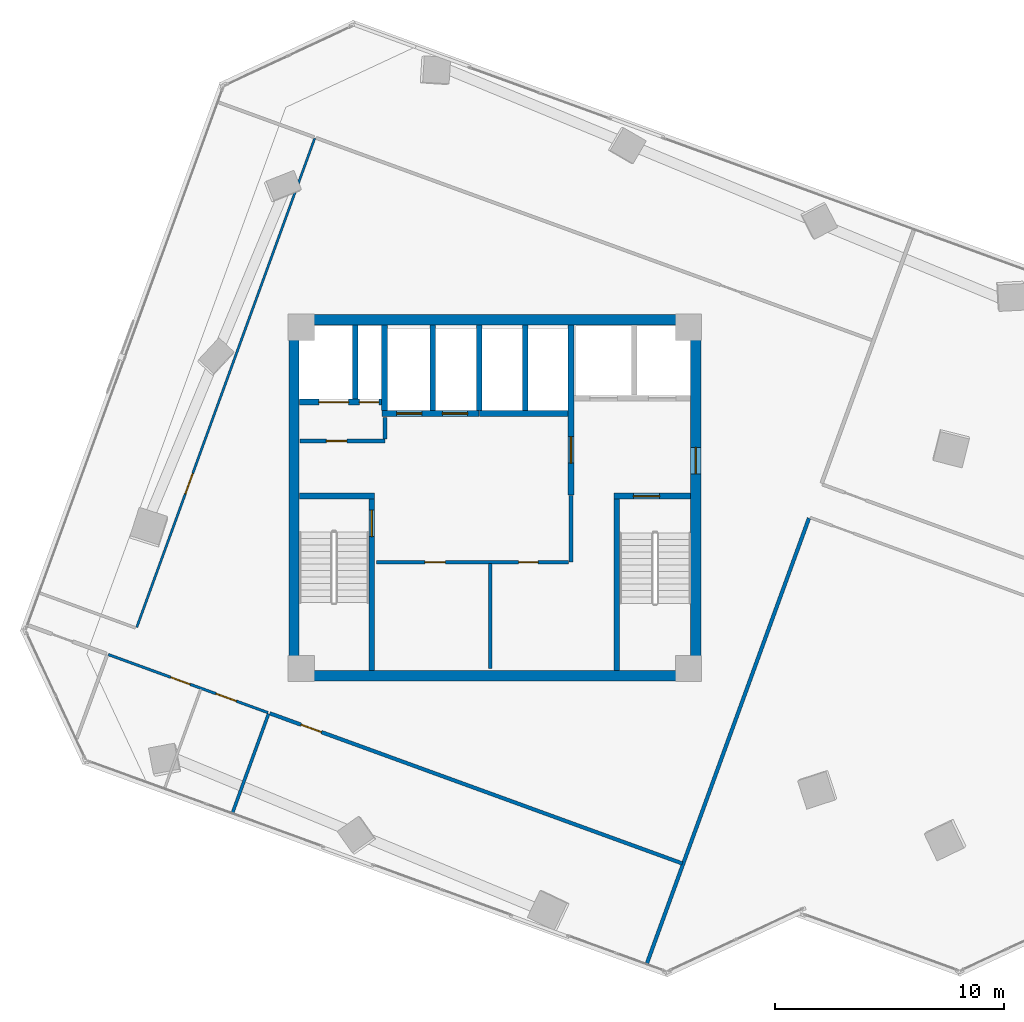
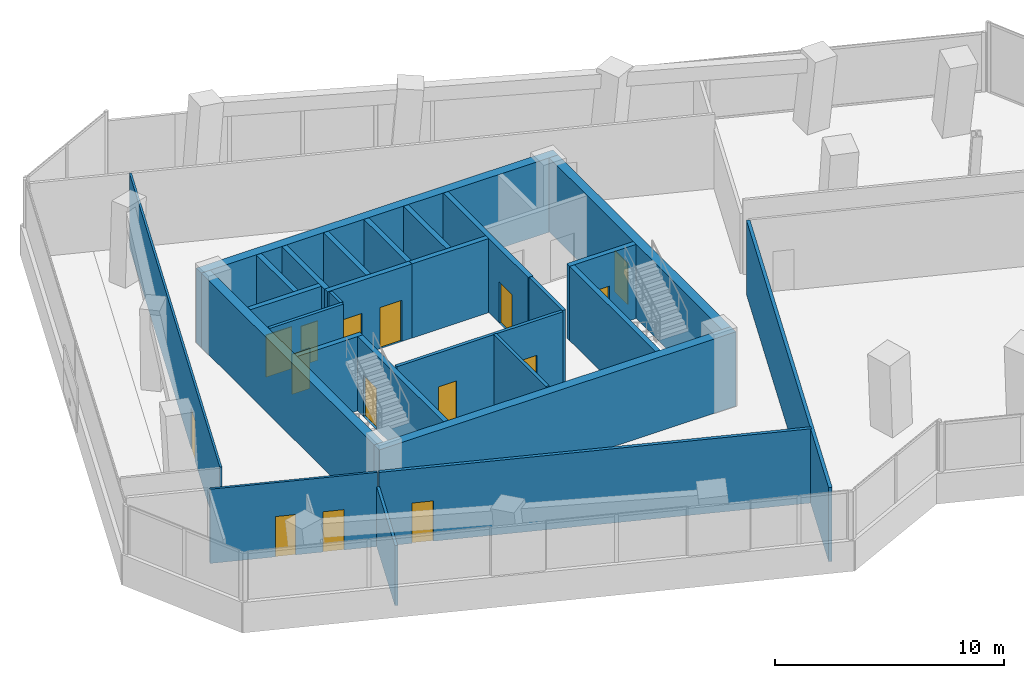
# One storey, part 16 of 21: 27 walls, 15 doors, 15 openings.
"""IFC4 building model written with IfcOpenShell, lengths in metres."""

import ifcopenshell
import ifcopenshell.guid

model = None  # the IFC model being written
_history = None  # IfcOwnerHistory: only IFC2X3 demands one
_inside = {}  # id of a spatial element -> (the spatial element, [elements in it])
_under = {}  # id of a project, library or spatial element -> (it, [spatial elements below it])
_declared = {}  # id of a project -> (the project, [libraries it declares])
_typed = {}  # id of a type object -> (the type object, [elements of that type])
_made_of = {}  # id of a material, layer set ... -> (it, [elements and type objects made of it])


def new_model(schema):
    """Start an empty IFC model of exactly this schema.

    Asked for "IFC4X3", IfcOpenShell would pick the latest addendum, in which some entities
    have other attributes; the version numbers below select the first issue.
    IFC2X3 requires an IfcOwnerHistory on every rooted entity: one is made here for all.
    """
    global model, _history
    if schema == "IFC4X3":
        model = ifcopenshell.file(schema_version=(4, 3, 0, 0))
    else:
        model = ifcopenshell.file(schema=schema)
    _inside.clear()
    _under.clear()
    _declared.clear()
    _typed.clear()
    _made_of.clear()
    _history = None
    if model.schema == "IFC2X3":
        org = make("IfcOrganization", Name="unknown")
        user = make(
            "IfcPersonAndOrganization",
            ThePerson=make("IfcPerson", FamilyName="unknown"),
            TheOrganization=org,
        )
        app = make(
            "IfcApplication",
            ApplicationDeveloper=org,
            Version="unknown",
            ApplicationFullName="unknown",
            ApplicationIdentifier="unknown",
        )
        _history = make(
            "IfcOwnerHistory",
            OwningUser=user,
            OwningApplication=app,
            ChangeAction="ADDED",
            CreationDate=0,
        )
    return model


def make(cls, **values):
    """One entity of the class cls with the attributes given. An attribute that is None is left unset."""
    return model.create_entity(
        cls, **{name: value for name, value in values.items() if value is not None}
    )


def rooted(cls, **values):
    """An entity with a GlobalId (a new one), such as an element, a storey or a relation."""
    return make(cls, GlobalId=ifcopenshell.guid.new(), OwnerHistory=_history, **values)


def si_unit(unit_type, name, prefix=None):
    """IfcSIUnit, for example si_unit("LENGTHUNIT", "METRE", prefix="MILLI")."""
    return make("IfcSIUnit", UnitType=unit_type, Prefix=prefix, Name=name)


def assignment(units):
    """IfcUnitAssignment: the units of a project."""
    return None if units is None else make("IfcUnitAssignment", Units=units)


def point(xyz):
    """IfcCartesianPoint."""
    return None if xyz is None else make("IfcCartesianPoint", Coordinates=xyz)


def direction(xyz):
    """IfcDirection."""
    return None if xyz is None else make("IfcDirection", DirectionRatios=xyz)


def frame(location, z_axis=None, x_axis=None):
    """IfcAxis2Placement3D, a coordinate frame: its origin and axes. An axis left out is left unset."""
    return make(
        "IfcAxis2Placement3D",
        Location=point(location),
        Axis=direction(z_axis),
        RefDirection=direction(x_axis),
    )


def frame_2d(location, x_axis=None):
    """IfcAxis2Placement2D, a coordinate frame in the plane: its origin and x axis."""
    return make(
        "IfcAxis2Placement2D", Location=point(location), RefDirection=direction(x_axis)
    )


def origin():
    """The frame at (0, 0, 0) with its axes left unset."""
    return frame((0.0, 0.0, 0.0))


def place(relative_to, where):
    """IfcLocalPlacement: puts the frame where relative to a parent placement (None: the world)."""
    return make(
        "IfcLocalPlacement", PlacementRelTo=relative_to, RelativePlacement=where
    )


def context(
    kind, dimensions, precision=None, world=None, true_north=None, identifier=None
):
    """IfcGeometricRepresentationContext, for example the 3D "Model" context."""
    return make(
        "IfcGeometricRepresentationContext",
        ContextIdentifier=identifier,
        ContextType=kind,
        CoordinateSpaceDimension=dimensions,
        Precision=precision,
        WorldCoordinateSystem=world,
        TrueNorth=true_north,
    )


def subcontext(parent, identifier, kind, view, scale=None):
    """IfcGeometricRepresentationSubContext, for example "Body" below "Model"."""
    return make(
        "IfcGeometricRepresentationSubContext",
        ContextIdentifier=identifier,
        ContextType=kind,
        ParentContext=parent,
        TargetScale=scale,
        TargetView=view,
    )


def project(units=None, contexts=None):
    """IfcProject with its units and contexts."""
    return rooted(
        "IfcProject",
        Name="project",
        RepresentationContexts=contexts,
        UnitsInContext=assignment(units),
    )


def spatial(cls, under=None, at=None, **own):
    """A site, building, storey or space (cls), placed at a placement, below another one or the project."""
    s = rooted(cls, ObjectPlacement=at, **own)
    if under is not None:
        _under.setdefault(under.id(), (under, []))[1].append(s)
    return s


def profile(cls, at=None, kind="AREA", **sizes):
    """A parametric profile (cls). Its sizes go by their IFC names, for example OverallWidth=200.0."""
    return make(cls, ProfileType=kind, Position=at, **sizes)


def rectangle(**sizes):
    """IfcRectangleProfileDef."""
    return profile("IfcRectangleProfileDef", **sizes)


def extrude(swept, where, along, depth):
    """IfcExtrudedAreaSolid: the profile swept, set in the frame where, extruded along a direction by depth."""
    return make(
        "IfcExtrudedAreaSolid",
        SweptArea=swept,
        Position=where,
        ExtrudedDirection=direction(along),
        Depth=depth,
    )


def shape(context_of_items, identifier, shape_type, items):
    """IfcShapeRepresentation: the items that make up one representation, for example the "Body"."""
    return make(
        "IfcShapeRepresentation",
        ContextOfItems=context_of_items,
        RepresentationIdentifier=identifier,
        RepresentationType=shape_type,
        Items=items,
    )


def source(mapping_origin, context_of_items, identifier, shape_type, items):
    """IfcRepresentationMap: a shape defined once, which mapped items show again and again."""
    return make(
        "IfcRepresentationMap",
        MappingOrigin=mapping_origin,
        MappedRepresentation=shape(context_of_items, identifier, shape_type, items),
    )


def transform(
    local_origin,
    x_axis=None,
    y_axis=None,
    z_axis=None,
    scale=None,
    scale2=None,
    scale3=None,
    uniform=True,
):
    """IfcCartesianTransformationOperator3D, or its non-uniform kind. x_axis, y_axis, z_axis: its Axis1, 2, 3."""
    if uniform:
        return make(
            "IfcCartesianTransformationOperator3D",
            Axis1=direction(x_axis),
            Axis2=direction(y_axis),
            LocalOrigin=point(local_origin),
            Scale=scale,
            Axis3=direction(z_axis),
        )
    return make(
        "IfcCartesianTransformationOperator3DnonUniform",
        Axis1=direction(x_axis),
        Axis2=direction(y_axis),
        LocalOrigin=point(local_origin),
        Scale=scale,
        Axis3=direction(z_axis),
        Scale2=scale2,
        Scale3=scale3,
    )


def mapped(mapping_source, mapping_target):
    """IfcMappedItem: shows the shape of a source again, moved by a transform."""
    return make(
        "IfcMappedItem", MappingSource=mapping_source, MappingTarget=mapping_target
    )


def material(Name=None, Category=None):
    """IfcMaterial."""
    return make("IfcMaterial", Name=Name, Category=Category)


def layer(
    of_material, thickness, ventilated=None, Name=None, Category=None, Priority=None
):
    """IfcMaterialLayer: one layer of a wall or slab, of a material (None: an air gap)."""
    return make(
        "IfcMaterialLayer",
        Material=of_material,
        LayerThickness=thickness,
        IsVentilated=ventilated,
        Name=Name,
        Category=Category,
        Priority=Priority,
    )


def layer_set(layers, Name=None):
    """IfcMaterialLayerSet."""
    return make("IfcMaterialLayerSet", MaterialLayers=layers, LayerSetName=Name)


def made_of(thing, what):
    """Note that an element or type object is made of a material, layer set ...; save() writes the relation."""
    if what is not None:
        _made_of.setdefault(what.id(), (what, []))[1].append(thing)
    return thing


def type_object(cls, material=None, **own):
    """A type object (cls), such as IfcWallType, which elements share."""
    return made_of(rooted(cls, **own), material)


def element(
    cls,
    number,
    at=None,
    inside=None,
    cuts=None,
    type_object=None,
    material=None,
    context=None,
    identifier="Body",
    shape_type=None,
    held_by="IfcProductDefinitionShape",
    body=None,
    shapes=None,
    **own,
):
    """One element of the class cls, such as IfcWall. Its Tag is "e" and its number.

    at: its placement. inside: the storey or other place that contains it. cuts: it is an
    opening in that element (IfcRelVoidsElement). A single representation is given by context,
    identifier, shape_type and body (its items); several are given by shapes. held_by: the class
    of the entity that holds the representations. save() writes the other relations.
    """
    e = rooted(cls, Tag="e%d" % number, ObjectPlacement=at, **own)
    if body is not None:
        shapes = [shape(context, identifier, shape_type, body)]
    if shapes is not None:
        e.Representation = make(held_by, Representations=shapes)
    if inside is not None:
        _inside.setdefault(inside.id(), (inside, []))[1].append(e)
    if cuts is not None:
        rooted(
            "IfcRelVoidsElement", RelatingBuildingElement=cuts, RelatedOpeningElement=e
        )
    if type_object is not None:
        _typed.setdefault(type_object.id(), (type_object, []))[1].append(e)
    return made_of(e, material)


def fill(opening, filler):
    """IfcRelFillsElement: the door or window that sits in an opening."""
    return rooted(
        "IfcRelFillsElement",
        RelatingOpeningElement=opening,
        RelatedBuildingElement=filler,
    )


def aggregate(whole, parts):
    """IfcRelAggregates: a whole, such as a stair, and the parts it consists of."""
    return rooted("IfcRelAggregates", RelatingObject=whole, RelatedObjects=parts)


def save(model, path):
    """Write the relations noted so far, then the file.

    IfcRelAggregates (storeys below a building ...), IfcRelContainedInSpatialStructure (elements
    in a storey), IfcRelDefinesByType, IfcRelAssociatesMaterial and IfcRelDeclares: one each for
    every whole, place, type object, material and project.
    """
    for whole, parts in _under.values():
        aggregate(whole, parts)
    for where, things in _inside.values():
        rooted(
            "IfcRelContainedInSpatialStructure",
            RelatedElements=things,
            RelatingStructure=where,
        )
    for kind, things in _typed.values():
        rooted("IfcRelDefinesByType", RelatedObjects=things, RelatingType=kind)
    for what, things in _made_of.values():
        rooted("IfcRelAssociatesMaterial", RelatedObjects=things, RelatingMaterial=what)
    for by, libraries in _declared.values():
        rooted("IfcRelDeclares", RelatingContext=by, RelatedDefinitions=libraries)
    model.write(path)


model = new_model("IFC4")

# Units and contexts
model_context = context("Model", 3, precision=1e-05, world=origin(), true_north=direction((0.0, 1.0)))
body_context = subcontext(model_context, "Body", "Model", "MODEL_VIEW")
ifc_project = project(units=[si_unit("LENGTHUNIT", "METRE"), si_unit("AREAUNIT", "SQUARE_METRE"), si_unit("VOLUMEUNIT", "CUBIC_METRE"), si_unit("PLANEANGLEUNIT", "RADIAN"), si_unit("MASSUNIT", "GRAM", prefix="KILO")], contexts=[model_context])

# Site, building, storey
site_placement = place(None, origin())
site = spatial("IfcSite", under=ifc_project, at=site_placement, CompositionType="ELEMENT")
building_placement = place(site_placement, origin())
building = spatial("IfcBuilding", under=site, at=building_placement, Name="Torre Montelarca", CompositionType="ELEMENT")
storey_placement = place(building_placement, frame((0.0, 0.0, 137.199951171875)))
storey = spatial("IfcBuildingStorey", under=building, at=storey_placement, Name="L30", CompositionType="ELEMENT", Elevation=137.199951171875)

# Wall, opening, door
ifc_material_1 = material(Name="Concrete C40/50", Category="concrete")
ifc_layer_1 = layer(ifc_material_1, 0.25, Name="Concrete C40/50", Category="concrete")
ifc_layer_set_1 = layer_set([ifc_layer_1], Name="Concrete C40/50")
wall_type_1 = type_object("IfcWallType", Name="CW-SHAFT-250", PredefinedType="SHEAR", material=ifc_layer_set_1)
wall_1_placement = place(storey_placement, frame((12.625, 24.4599609375, 0.0), z_axis=(0.0, 0.0, 1.0), x_axis=(0.0, 1.0, 0.0)))
wall_1 = element("IfcWall", 1, at=wall_1_placement, inside=storey, type_object=wall_type_1, Name="L30 Core Shear Wall SH-ST1-E", PredefinedType="SHEAR", context=body_context, shape_type="SweptSolid", body=[
    extrude(rectangle(XDim=7.489990234375, YDim=0.25, at=frame_2d((3.7451171875, 0.0))), origin(), (0.0, 0.0, 1.0), 3.9599609375),
])
opening_1_placement = place(wall_1_placement, frame((5.85009765625, 0.0, 0.0)))
opening_1 = element("IfcOpeningElement", 2, at=opening_1_placement, cuts=wall_1, Name="Opening FD-ST1", PredefinedType="OPENING", context=body_context, shape_type="SweptSolid", body=[
    extrude(rectangle(XDim=1.14990234375, YDim=2.199951171875, at=frame_2d((0.574951171875, 1.10009765625))), frame((0.0, 0.135009765625, 0.0), z_axis=(0.0, -1.0, 0.0), x_axis=(1.0, 0.0, 0.0)), (0.0, 0.0, 1.0), 0.27001953125),
])
ifc_material_2 = material(Name="Galvanized steel fire door", Category="steel")
door_type_1 = type_object("IfcDoorType", Name="DR-STAIR-115", OperationType="NOTDEFINED", PredefinedType="DOOR", material=ifc_material_2)
shared_shape_1 = source(origin(), body_context, "Body", "SweptSolid", [
    extrude(rectangle(XDim=1.14990234375, YDim=2.199951171875, at=frame_2d((0.574951171875, 1.10009765625))), frame((0.0, 0.02490234375, 0.0), z_axis=(0.0, -1.0, 0.0), x_axis=(1.0, 0.0, 0.0)), (0.0, 0.0, 1.0), 0.050048828125),
])
door_1_placement = place(opening_1_placement, origin())
door_1 = element("IfcDoor", 3, at=door_1_placement, inside=storey, type_object=door_type_1, Name="L30 Exit Stair ST1 Fire Door", OperationType="SINGLE_SWING_RIGHT", OverallHeight=2.199951171875, OverallWidth=1.14990234375, PredefinedType="DOOR", context=body_context, shape_type="MappedRepresentation", body=[
    mapped(shared_shape_1, transform((0.0, 0.0, 0.0), scale=1.0)),
])
fill(opening_1, door_1)

# Walls
wall_2_placement = place(storey_placement, frame((9.4599609375, 32.074951171875, 0.0), z_axis=(0.0, 0.0, 1.0), x_axis=(1.0, 0.0, 0.0)))
element("IfcWall", 4, at=wall_2_placement, inside=storey, type_object=wall_type_1, Name="L30 Core Shear Wall SH-ST1-N", PredefinedType="SHEAR", context=body_context, shape_type="SweptSolid", body=[
    extrude(rectangle(XDim=3.2900390625, YDim=0.25, at=frame_2d((1.64501953125, 0.0))), origin(), (0.0, 0.0, 1.0), 3.9599609375),
])
wall_3_placement = place(storey_placement, frame((23.31494140625, 24.4599609375, 0.0), z_axis=(0.0, 0.0, 1.0), x_axis=(0.0, 1.0, 0.0)))
element("IfcWall", 5, at=wall_3_placement, inside=storey, type_object=wall_type_1, Name="L30 Core Shear Wall SH-ST2-W", PredefinedType="SHEAR", context=body_context, shape_type="SweptSolid", body=[
    extrude(rectangle(XDim=7.489990234375, YDim=0.25, at=frame_2d((3.7451171875, 0.0))), origin(), (0.0, 0.0, 1.0), 3.9599609375),
])

# Wall, opening, door
wall_4_placement = place(storey_placement, frame((23.18994140625, 32.074951171875, 0.0), z_axis=(0.0, 0.0, 1.0), x_axis=(1.0, 0.0, 0.0)))
wall_4 = element("IfcWall", 6, at=wall_4_placement, inside=storey, type_object=wall_type_1, Name="L30 Core Shear Wall SH-ST2-N", PredefinedType="SHEAR", context=body_context, shape_type="SweptSolid", body=[
    extrude(rectangle(XDim=3.35009765625, YDim=0.25, at=frame_2d((1.675048828125, 0.0))), origin(), (0.0, 0.0, 1.0), 3.9599609375),
])
opening_2_placement = place(wall_4_placement, frame((0.85009765625, 0.0, 0.0)))
opening_2 = element("IfcOpeningElement", 7, at=opening_2_placement, cuts=wall_4, Name="Opening FD-ST1", PredefinedType="OPENING", context=body_context, shape_type="SweptSolid", body=[
    extrude(rectangle(XDim=1.14990234375, YDim=2.199951171875, at=frame_2d((0.574951171875, 1.10009765625))), frame((0.0, 0.135009765625, 0.0), z_axis=(0.0, -1.0, 0.0), x_axis=(1.0, 0.0, 0.0)), (0.0, 0.0, 1.0), 0.27001953125),
])
door_2_placement = place(opening_2_placement, origin())
door_2 = element("IfcDoor", 8, at=door_2_placement, inside=storey, type_object=door_type_1, Name="L30 Exit Stair ST2 Fire Door", OperationType="SINGLE_SWING_RIGHT", OverallHeight=2.199951171875, OverallWidth=1.14990234375, PredefinedType="DOOR", context=body_context, shape_type="MappedRepresentation", body=[
    mapped(shared_shape_1, transform((0.0, 0.0, 0.0), scale=1.0)),
])
fill(opening_2, door_2)

wall_5_placement = place(storey_placement, frame((21.320068359375, 32.1201171875, 0.0), z_axis=(0.0, 0.0, 1.0), x_axis=(0.0, 1.0, 0.0)))
wall_5 = element("IfcWall", 9, at=wall_5_placement, inside=storey, type_object=wall_type_1, Name="L30 Core Shear Wall SH-FFL-W", PredefinedType="SHEAR", context=body_context, shape_type="SweptSolid", body=[
    extrude(rectangle(XDim=7.419921875, YDim=0.25, at=frame_2d((3.7099609375, 0.0))), origin(), (0.0, 0.0, 1.0), 3.9599609375),
])
opening_3_placement = place(wall_5_placement, frame((1.39990234375, 0.0, 0.0)))
opening_3 = element("IfcOpeningElement", 10, at=opening_3_placement, cuts=wall_5, Name="Opening FD-LB1", PredefinedType="OPENING", context=body_context, shape_type="SweptSolid", body=[
    extrude(rectangle(XDim=1.14990234375, YDim=2.199951171875, at=frame_2d((0.574951171875, 1.10009765625))), frame((0.0, 0.135009765625, 0.0), z_axis=(0.0, -1.0, 0.0), x_axis=(1.0, 0.0, 0.0)), (0.0, 0.0, 1.0), 0.27001953125),
])
ifc_material_3 = material(Name="Acoustic timber-veneered fire door", Category="wood")
door_type_2 = type_object("IfcDoorType", Name="DR-LOBBY-115", OperationType="NOTDEFINED", PredefinedType="DOOR", material=ifc_material_3)
shared_shape_2 = source(origin(), body_context, "Body", "SweptSolid", [
    extrude(rectangle(XDim=1.14990234375, YDim=2.199951171875, at=frame_2d((0.574951171875, 1.10009765625))), frame((0.0, 0.02490234375, 0.0), z_axis=(0.0, -1.0, 0.0), x_axis=(1.0, 0.0, 0.0)), (0.0, 0.0, 1.0), 0.050048828125),
])
door_3_placement = place(opening_3_placement, origin())
door_3 = element("IfcDoor", 11, at=door_3_placement, inside=storey, type_object=door_type_2, Name="L30 Lift Lobby to Firefighting Lobby Smoke Door", OperationType="SINGLE_SWING_LEFT", OverallHeight=2.199951171875, OverallWidth=1.14990234375, PredefinedType="DOOR", context=body_context, shape_type="MappedRepresentation", body=[
    mapped(shared_shape_2, transform((0.0, 0.0, 0.0), scale=1.0)),
])
fill(opening_3, door_3)

# Wall, openings, doors
wall_6_placement = place(storey_placement, frame((9.4599609375, 36.179931640625, 0.0), z_axis=(0.0, 0.0, 1.0), x_axis=(1.0, 0.0, 0.0)))
wall_6 = element("IfcWall", 12, at=wall_6_placement, inside=storey, type_object=wall_type_1, Name="L30 Core Shear Wall SH-SV1-S", PredefinedType="SHEAR", context=body_context, shape_type="SweptSolid", body=[
    extrude(rectangle(XDim=3.7900390625, YDim=0.25, at=frame_2d((1.89501953125, 0.0))), origin(), (0.0, 0.0, 1.0), 3.9599609375),
])
opening_4_placement = place(wall_6_placement, frame((2.6201171875, 0.0, 0.0)))
opening_4 = element("IfcOpeningElement", 13, at=opening_4_placement, cuts=wall_6, Name="Opening FD-085", PredefinedType="OPENING", context=body_context, shape_type="SweptSolid", body=[
    extrude(rectangle(XDim=0.85009765625, YDim=2.10009765625, at=frame_2d((0.425048828125, 1.050048828125))), frame((0.0, 0.135009765625, 0.0), z_axis=(0.0, -1.0, 0.0), x_axis=(1.0, 0.0, 0.0)), (0.0, 0.0, 1.0), 0.27001953125),
])
opening_5_placement = place(wall_6_placement, frame((0.85009765625, 0.0, 0.0)))
opening_5 = element("IfcOpeningElement", 14, at=opening_5_placement, cuts=wall_6, Name="Opening LD-130", PredefinedType="OPENING", context=body_context, shape_type="SweptSolid", body=[
    extrude(rectangle(XDim=1.300048828125, YDim=2.25, at=frame_2d((0.64990234375, 1.125))), frame((0.0, 0.135009765625, 0.0), z_axis=(0.0, -1.0, 0.0), x_axis=(1.0, 0.0, 0.0)), (0.0, 0.0, 1.0), 0.27001953125),
])
ifc_material_4 = material(Name="Steel riser access fire door", Category="steel")
door_type_3 = type_object("IfcDoorType", Name="DR-RISER-085", OperationType="NOTDEFINED", PredefinedType="DOOR", material=ifc_material_4)
shared_shape_3 = source(origin(), body_context, "Body", "SweptSolid", [
    extrude(rectangle(XDim=0.85009765625, YDim=2.10009765625, at=frame_2d((0.425048828125, 1.050048828125))), frame((0.0, 0.02490234375, 0.0), z_axis=(0.0, -1.0, 0.0), x_axis=(1.0, 0.0, 0.0)), (0.0, 0.0, 1.0), 0.050048828125),
])
door_4_placement = place(opening_4_placement, origin())
door_4 = element("IfcDoor", 15, at=door_4_placement, inside=storey, type_object=door_type_3, Name="L30 Electrical Riser Shaft Access Door", OperationType="SINGLE_SWING_RIGHT", OverallHeight=2.10009765625, OverallWidth=0.85009765625, PredefinedType="DOOR", context=body_context, shape_type="MappedRepresentation", body=[
    mapped(shared_shape_3, transform((0.0, 0.0, 0.0), scale=1.0)),
])
fill(opening_4, door_4)
ifc_material_5 = material(Name="Brushed stainless steel AISI 316", Category="steel")
door_type_4 = type_object("IfcDoorType", Name="DR-LIFT-130", OperationType="SLIDING_TO_LEFT", PredefinedType="DOOR", material=ifc_material_5)
shared_shape_4 = source(origin(), body_context, "Body", "SweptSolid", [
    extrude(rectangle(XDim=1.300048828125, YDim=2.25, at=frame_2d((0.64990234375, 1.125))), frame((0.0, 0.02490234375, 0.0), z_axis=(0.0, -1.0, 0.0), x_axis=(1.0, 0.0, 0.0)), (0.0, 0.0, 1.0), 0.050048828125),
])
door_5_placement = place(opening_5_placement, origin())
door_5 = element("IfcDoor", 16, at=door_5_placement, inside=storey, type_object=door_type_4, Name="L30 Lift Landing Sliding Door SV-1", OperationType="SLIDING_TO_LEFT", OverallHeight=2.25, OverallWidth=1.300048828125, PredefinedType="DOOR", context=body_context, shape_type="MappedRepresentation", body=[
    mapped(shared_shape_4, transform((0.0, 0.0, 0.0), scale=1.0)),
])
fill(opening_5, door_5)

# Wall
wall_7_placement = place(storey_placement, frame((11.89990234375, 36.31005859375, 0.0), z_axis=(0.0, 0.0, 1.0), x_axis=(0.0, 1.0, 0.0)))
element("IfcWall", 17, at=wall_7_placement, inside=storey, type_object=wall_type_1, Name="L30 Core Shear Wall SH-SV1-E", PredefinedType="SHEAR", context=body_context, shape_type="SweptSolid", body=[
    extrude(rectangle(XDim=3.22998046875, YDim=0.25, at=frame_2d((1.614990234375, 0.0))), origin(), (0.0, 0.0, 1.0), 3.9599609375),
])

# Wall, openings, doors
wall_8_placement = place(storey_placement, frame((13.06005859375, 35.679931640625, 0.0), z_axis=(0.0, 0.0, 1.0), x_axis=(1.0, 0.0, 0.0)))
wall_8 = element("IfcWall", 18, at=wall_8_placement, inside=storey, type_object=wall_type_1, Name="L30 Core Shear Wall SH-PLM-S", PredefinedType="SHEAR", context=body_context, shape_type="SweptSolid", body=[
    extrude(rectangle(XDim=4.25, YDim=0.25, at=frame_2d((2.125, 0.0))), origin(), (0.0, 0.0, 1.0), 3.9599609375),
])
opening_6_placement = place(wall_8_placement, frame((0.64990234375, 0.0, 0.0)))
opening_6 = element("IfcOpeningElement", 19, at=opening_6_placement, cuts=wall_8, Name="Opening LD-110", PredefinedType="OPENING", context=body_context, shape_type="SweptSolid", body=[
    extrude(rectangle(XDim=1.10009765625, YDim=2.199951171875, at=frame_2d((0.550048828125, 1.10009765625))), frame((0.0, 0.135009765625, 0.0), z_axis=(0.0, -1.0, 0.0), x_axis=(1.0, 0.0, 0.0)), (0.0, 0.0, 1.0), 0.27001953125),
])
opening_7_placement = place(wall_8_placement, frame((2.64990234375, 0.0, 0.0)))
opening_7 = element("IfcOpeningElement", 20, at=opening_7_placement, cuts=wall_8, Name="Opening LD-110", PredefinedType="OPENING", context=body_context, shape_type="SweptSolid", body=[
    extrude(rectangle(XDim=1.10009765625, YDim=2.199951171875, at=frame_2d((0.550048828125, 1.10009765625))), frame((0.0, 0.135009765625, 0.0), z_axis=(0.0, -1.0, 0.0), x_axis=(1.0, 0.0, 0.0)), (0.0, 0.0, 1.0), 0.27001953125),
])
door_type_5 = type_object("IfcDoorType", Name="DR-LIFT-110", OperationType="SLIDING_TO_LEFT", PredefinedType="DOOR", material=ifc_material_5)
shared_shape_5 = source(origin(), body_context, "Body", "SweptSolid", [
    extrude(rectangle(XDim=1.10009765625, YDim=2.199951171875, at=frame_2d((0.550048828125, 1.10009765625))), frame((0.0, 0.02490234375, 0.0), z_axis=(0.0, -1.0, 0.0), x_axis=(1.0, 0.0, 0.0)), (0.0, 0.0, 1.0), 0.050048828125),
])
door_6_placement = place(opening_6_placement, origin())
door_6 = element("IfcDoor", 21, at=door_6_placement, inside=storey, type_object=door_type_5, Name="L30 Lift Landing Sliding Door PL-M1", OperationType="SLIDING_TO_LEFT", OverallHeight=2.199951171875, OverallWidth=1.10009765625, PredefinedType="DOOR", context=body_context, shape_type="MappedRepresentation", body=[
    mapped(shared_shape_5, transform((0.0, 0.0, 0.0), scale=1.0)),
])
fill(opening_6, door_6)
door_7_placement = place(opening_7_placement, origin())
door_7 = element("IfcDoor", 22, at=door_7_placement, inside=storey, type_object=door_type_5, Name="L30 Lift Landing Sliding Door PL-M2", OperationType="SLIDING_TO_RIGHT", OverallHeight=2.199951171875, OverallWidth=1.10009765625, PredefinedType="DOOR", context=body_context, shape_type="MappedRepresentation", body=[
    mapped(shared_shape_5, transform((0.0, 0.0, 0.0), scale=1.0)),
])
fill(opening_7, door_7)

# Walls
for number, where, z_axis, x_axis, name in (
    (23, (13.179931640625, 35.81005859375, 0.0), (0.0, 0.0, 1.0), (0.0, 1.0, 0.0), "L30 Core Shear Wall SH-PLM-W"),
    (24, (15.280029296875, 35.81005859375, 0.0), (0.0, 0.0, 1.0), (0.0, 1.0, 0.0), "L30 Core Shear Wall SH-PLM-M"),
):
    element("IfcWall", number, at=place(storey_placement, frame(where, z_axis=z_axis, x_axis=x_axis)), inside=storey, type_object=wall_type_1, Name=name, PredefinedType="SHEAR", context=body_context, shape_type="SweptSolid", body=[
        extrude(rectangle(XDim=3.72998046875, YDim=0.25, at=frame_2d((1.864990234375, 0.0))), origin(), (0.0, 0.0, 1.0), 3.9599609375),
    ])
wall_9_placement = place(storey_placement, frame((17.320068359375, 35.679931640625, 0.0), z_axis=(0.0, 0.0, 1.0), x_axis=(1.0, 0.0, 0.0)))
element("IfcWall", 25, at=wall_9_placement, inside=storey, type_object=wall_type_1, Name="L30 Core Shear Wall SH-PLH-S", PredefinedType="SHEAR", context=body_context, shape_type="SweptSolid", body=[
    extrude(rectangle(XDim=3.869873046875, YDim=0.25, at=frame_2d((1.93505859375, 0.0))), origin(), (0.0, 0.0, 1.0), 3.9599609375),
])
for number, where, z_axis, x_axis, name in (
    (26, (17.320068359375, 35.81005859375, 0.0), (0.0, 0.0, 1.0), (0.0, 1.0, 0.0), "L30 Core Shear Wall SH-PLH-W"),
    (27, (19.320068359375, 35.81005859375, 0.0), (0.0, 0.0, 1.0), (0.0, 1.0, 0.0), "L30 Core Shear Wall SH-PLH-M"),
):
    element("IfcWall", number, at=place(storey_placement, frame(where, z_axis=z_axis, x_axis=x_axis)), inside=storey, type_object=wall_type_1, Name=name, PredefinedType="SHEAR", context=body_context, shape_type="SweptSolid", body=[
        extrude(rectangle(XDim=3.72998046875, YDim=0.25, at=frame_2d((1.864990234375, 0.0))), origin(), (0.0, 0.0, 1.0), 3.9599609375),
    ])
ifc_material_6 = material(Name="Concrete C55/67", Category="concrete")
ifc_layer_2 = layer(ifc_material_6, 0.449951171875, Name="Concrete C55/67", Category="concrete")
ifc_layer_set_2 = layer_set([ifc_layer_2], Name="Concrete C55/67")
wall_type_2 = type_object("IfcWallType", Name="CW-SHEAR-450", PredefinedType="SHEAR", material=ifc_layer_set_2)
wall_10_placement = place(storey_placement, frame((9.22509765625, 24.449951171875, 0.0), z_axis=(0.0, 0.0, 1.0), x_axis=(0.0, 1.0, 0.0)))
element("IfcWall", 28, at=wall_10_placement, inside=storey, type_object=wall_type_2, Name="L30 Core Shear Wall CW-W", PredefinedType="SHEAR", context=body_context, shape_type="SweptSolid", body=[
    extrude(rectangle(XDim=15.10009765625, YDim=0.449951171875, at=frame_2d((7.550048828125, 0.0))), origin(), (0.0, 0.0, 1.0), 3.9599609375),
])

# Wall, opening, door
wall_11_placement = place(storey_placement, frame((26.77490234375, 24.449951171875, 0.0), z_axis=(0.0, 0.0, 1.0), x_axis=(0.0, 1.0, 0.0)))
wall_11 = element("IfcWall", 29, at=wall_11_placement, inside=storey, type_object=wall_type_2, Name="L30 Core Shear Wall CW-E", PredefinedType="SHEAR", context=body_context, shape_type="SweptSolid", body=[
    extrude(rectangle(XDim=15.10009765625, YDim=0.449951171875, at=frame_2d((7.550048828125, 0.0))), origin(), (0.0, 0.0, 1.0), 3.9599609375),
])
opening_8_placement = place(wall_11_placement, frame((8.60009765625, 0.0, 0.0)))
opening_8 = element("IfcOpeningElement", 30, at=opening_8_placement, cuts=wall_11, Name="Opening FD-LB1", PredefinedType="OPENING", context=body_context, shape_type="SweptSolid", body=[
    extrude(rectangle(XDim=1.14990234375, YDim=2.199951171875, at=frame_2d((0.574951171875, 1.10009765625))), frame((0.0, 0.23486328125, 0.0), z_axis=(0.0, -1.0, 0.0), x_axis=(1.0, 0.0, 0.0)), (0.0, 0.0, 1.0), 0.469970703125),
])
door_8_placement = place(opening_8_placement, origin())
door_8 = element("IfcDoor", 31, at=door_8_placement, inside=storey, type_object=door_type_2, Name="L30 Firefighting Lift Lobby Corridor Fire Door", OperationType="SINGLE_SWING_RIGHT", OverallHeight=2.199951171875, OverallWidth=1.14990234375, PredefinedType="DOOR", context=body_context, shape_type="MappedRepresentation", body=[
    mapped(shared_shape_2, transform((0.0, 0.0, 0.0), scale=1.0)),
])
fill(opening_8, door_8)

# Walls
for number, where, z_axis, x_axis, name in (
    (32, (9.0, 24.22509765625, 0.0), (0.0, 0.0, 1.0), (1.0, 0.0, 0.0), "L30 Core Shear Wall CW-S1"),
    (33, (9.0, 39.77490234375, 0.0), (0.0, 0.0, 1.0), (1.0, 0.0, 0.0), "L30 Core Shear Wall CW-N1"),
):
    element("IfcWall", number, at=place(storey_placement, frame(where, z_axis=z_axis, x_axis=x_axis)), inside=storey, type_object=wall_type_2, Name=name, PredefinedType="SHEAR", context=body_context, shape_type="SweptSolid", body=[
        extrude(rectangle(XDim=18.0, YDim=0.449951171875, at=frame_2d((9.0, 0.0))), origin(), (0.0, 0.0, 1.0), 3.9599609375),
    ])

# Wall, opening, door
ifc_material_7 = material(Name="Gypsum plasterboard on steel stud", Category="steel")
ifc_layer_3 = layer(ifc_material_7, 0.159912109375, Name="Gypsum plasterboard on steel stud", Category="steel")
ifc_layer_set_3 = layer_set([ifc_layer_3], Name="Gypsum plasterboard on steel stud")
wall_type_3 = type_object("IfcWallType", Name="PW-FIRE-160", PredefinedType="PARTITIONING", material=ifc_layer_set_3)
wall_12_placement = place(storey_placement, frame((9.489990234375, 34.47998046875, 0.0), z_axis=(0.0, 0.0, 1.0), x_axis=(1.0, 0.0, 0.0)))
wall_12 = element("IfcWall", 34, at=wall_12_placement, inside=storey, type_object=wall_type_3, Name="L30 Interior Partition CW-L30-SVS", PredefinedType="PARTITIONING", context=body_context, shape_type="SweptSolid", body=[
    extrude(rectangle(XDim=3.699951171875, YDim=0.159912109375, at=frame_2d((1.85009765625, 0.0))), origin(), (0.0, 0.0, 1.0), 3.9599609375),
])
opening_9_placement = place(wall_12_placement, frame((1.14990234375, 0.0, 0.0)))
opening_9 = element("IfcOpeningElement", 35, at=opening_9_placement, cuts=wall_12, Name="Opening FD-090", PredefinedType="OPENING", context=body_context, shape_type="SweptSolid", body=[
    extrude(rectangle(XDim=0.89990234375, YDim=2.14990234375, at=frame_2d((0.449951171875, 1.074951171875))), frame((0.0, 0.08984375, 0.0), z_axis=(0.0, -1.0, 0.0), x_axis=(1.0, 0.0, 0.0)), (0.0, 0.0, 1.0), 0.179931640625),
])
ifc_material_8 = material(Name="Steel service fire door", Category="steel")
door_type_6 = type_object("IfcDoorType", Name="DR-FIRE-090", OperationType="NOTDEFINED", PredefinedType="DOOR", material=ifc_material_8)
shared_shape_6 = source(origin(), body_context, "Body", "SweptSolid", [
    extrude(rectangle(XDim=0.89990234375, YDim=2.14990234375, at=frame_2d((0.449951171875, 1.074951171875))), frame((0.0, 0.02490234375, 0.0), z_axis=(0.0, -1.0, 0.0), x_axis=(1.0, 0.0, 0.0)), (0.0, 0.0, 1.0), 0.050048828125),
])
door_9_placement = place(opening_9_placement, origin())
door_9 = element("IfcDoor", 36, at=door_9_placement, inside=storey, type_object=door_type_6, Name="L30 Interior Door 01", OperationType="SINGLE_SWING_RIGHT", OverallHeight=2.14990234375, OverallWidth=0.89990234375, PredefinedType="DOOR", context=body_context, shape_type="MappedRepresentation", body=[
    mapped(shared_shape_6, transform((0.0, 0.0, 0.0), scale=1.0)),
])
fill(opening_9, door_9)

# Wall
wall_13_placement = place(storey_placement, frame((13.199951171875, 34.570068359375, 0.0), z_axis=(0.0, 0.0, 1.0), x_axis=(0.0, 1.0, 0.0)))
element("IfcWall", 37, at=wall_13_placement, inside=storey, type_object=wall_type_3, Name="L30 Interior Partition CW-L30-SVE", PredefinedType="PARTITIONING", context=body_context, shape_type="SweptSolid", body=[
    extrude(rectangle(XDim=0.93994140625, YDim=0.159912109375, at=frame_2d((0.469970703125, 0.0))), origin(), (0.0, 0.0, 1.0), 3.9599609375),
])

# Wall, openings, doors
wall_14_placement = place(storey_placement, frame((12.840087890625, 29.179931640625, 0.0), z_axis=(0.0, 0.0, 1.0), x_axis=(1.0, 0.0, 0.0)))
wall_14 = element("IfcWall", 38, at=wall_14_placement, inside=storey, type_object=wall_type_3, Name="L30 Interior Partition CW-L30-FRDN", PredefinedType="PARTITIONING", context=body_context, shape_type="SweptSolid", body=[
    extrude(rectangle(XDim=8.369873046875, YDim=0.159912109375, at=frame_2d((4.18505859375, 0.0))), origin(), (0.0, 0.0, 1.0), 3.9599609375),
])
opening_10_placement = place(wall_14_placement, frame((2.10009765625, 0.0, 0.0)))
opening_10 = element("IfcOpeningElement", 39, at=opening_10_placement, cuts=wall_14, Name="Opening FD-090", PredefinedType="OPENING", context=body_context, shape_type="SweptSolid", body=[
    extrude(rectangle(XDim=0.89990234375, YDim=2.14990234375, at=frame_2d((0.449951171875, 1.074951171875))), frame((0.0, 0.08984375, 0.0), z_axis=(0.0, -1.0, 0.0), x_axis=(1.0, 0.0, 0.0)), (0.0, 0.0, 1.0), 0.179931640625),
])
opening_11_placement = place(wall_14_placement, frame((6.199951171875, 0.0, 0.0)))
opening_11 = element("IfcOpeningElement", 40, at=opening_11_placement, cuts=wall_14, Name="Opening FD-085", PredefinedType="OPENING", context=body_context, shape_type="SweptSolid", body=[
    extrude(rectangle(XDim=0.85009765625, YDim=2.10009765625, at=frame_2d((0.425048828125, 1.050048828125))), frame((0.0, 0.08984375, 0.0), z_axis=(0.0, -1.0, 0.0), x_axis=(1.0, 0.0, 0.0)), (0.0, 0.0, 1.0), 0.179931640625),
])
door_10_placement = place(opening_11_placement, origin())
door_10 = element("IfcDoor", 41, at=door_10_placement, inside=storey, type_object=door_type_3, Name="L30 Interior Door 03", OperationType="SINGLE_SWING_LEFT", OverallHeight=2.10009765625, OverallWidth=0.85009765625, PredefinedType="DOOR", context=body_context, shape_type="MappedRepresentation", body=[
    mapped(shared_shape_3, transform((0.0, 0.0, 0.0), scale=1.0)),
])
fill(opening_11, door_10)
door_11_placement = place(opening_10_placement, origin())
door_11 = element("IfcDoor", 42, at=door_11_placement, inside=storey, type_object=door_type_6, Name="L30 Interior Door 02", OperationType="SINGLE_SWING_RIGHT", OverallHeight=2.14990234375, OverallWidth=0.89990234375, PredefinedType="DOOR", context=body_context, shape_type="MappedRepresentation", body=[
    mapped(shared_shape_6, transform((0.0, 0.0, 0.0), scale=1.0)),
])
fill(opening_10, door_11)

# Walls
wall_15_placement = place(storey_placement, frame((17.800048828125, 24.5400390625, 0.0), z_axis=(0.0, 0.0, 1.0), x_axis=(0.0, 1.0, 0.0)))
element("IfcWall", 43, at=wall_15_placement, inside=storey, type_object=wall_type_3, Name="L30 Interior Partition CW-L30-FRD1", PredefinedType="PARTITIONING", context=body_context, shape_type="SweptSolid", body=[
    extrude(rectangle(XDim=4.599853515625, YDim=0.159912109375, at=frame_2d((2.2998046875, 0.0))), origin(), (0.0, 0.0, 1.0), 3.9599609375),
])
wall_16_placement = place(storey_placement, frame((21.320068359375, 29.18994140625, 0.0), z_axis=(0.0, 0.0, 1.0), x_axis=(0.0, 1.0, 0.0)))
element("IfcWall", 44, at=wall_16_placement, inside=storey, type_object=wall_type_3, Name="L30 Interior Partition CW-L30-FRE", PredefinedType="PARTITIONING", context=body_context, shape_type="SweptSolid", body=[
    extrude(rectangle(XDim=2.920166015625, YDim=0.159912109375, at=frame_2d((1.4599609375, 0.0))), origin(), (0.0, 0.0, 1.0), 3.9599609375),
])

# Wall, opening, door
wall_17_placement = place(storey_placement, frame((8.16845703125, 22.59228515625, 0.0), z_axis=(0.0, 0.0, 1.0), x_axis=(0.939694846349, -0.342014028579, 0.0)))
wall_17 = element("IfcWall", 45, at=wall_17_placement, inside=storey, type_object=wall_type_3, Name="L30 Interior Partition W-L30-SOCCN", PredefinedType="PARTITIONING", context=body_context, shape_type="SweptSolid", body=[
    extrude(rectangle(XDim=19.169921875, YDim=0.159912109375, at=frame_2d((9.5849609375, 0.0))), origin(), (0.0, 0.0, 1.0), 3.9599609375),
])
opening_12_placement = place(wall_17_placement, frame((1.449951171875, 0.0, 0.0)))
opening_12 = element("IfcOpeningElement", 46, at=opening_12_placement, cuts=wall_17, Name="Opening FD-095", PredefinedType="OPENING", context=body_context, shape_type="SweptSolid", body=[
    extrude(rectangle(XDim=0.949951171875, YDim=2.14990234375, at=frame_2d((0.47509765625, 1.074951171875))), frame((0.0, 0.08984375, 0.0), z_axis=(0.0, -1.0, 0.0), x_axis=(1.0, 0.0, 0.0)), (0.0, 0.0, 1.0), 0.179931640625),
])
ifc_material_9 = material(Name="Timber fire-rated room door", Category="wood")
door_type_7 = type_object("IfcDoorType", Name="DR-FIRE-095", OperationType="NOTDEFINED", PredefinedType="DOOR", material=ifc_material_9)
shared_shape_7 = source(origin(), body_context, "Body", "SweptSolid", [
    extrude(rectangle(XDim=0.949951171875, YDim=2.14990234375, at=frame_2d((0.47509765625, 1.074951171875))), frame((0.0, 0.02490234375, 0.0), z_axis=(0.0, -1.0, 0.0), x_axis=(1.0, 0.0, 0.0)), (0.0, 0.0, 1.0), 0.050048828125),
])
door_12_placement = place(opening_12_placement, origin())
door_12 = element("IfcDoor", 47, at=door_12_placement, inside=storey, type_object=door_type_7, Name="L30 Interior Door 07", OperationType="SINGLE_SWING_RIGHT", OverallHeight=2.14990234375, OverallWidth=0.949951171875, PredefinedType="DOOR", context=body_context, shape_type="MappedRepresentation", body=[
    mapped(shared_shape_7, transform((0.0, 0.0, 0.0), scale=1.0)),
])
fill(opening_12, door_12)

# Wall
wall_18_placement = place(storey_placement, frame((24.639892578125, 11.680908203125, 0.0), z_axis=(0.0, 0.0, 1.0), x_axis=(0.342014151498, 0.939694801611, 0.0)))
element("IfcWall", 48, at=wall_18_placement, inside=storey, type_object=wall_type_3, Name="L30 Interior Partition W-L30-ECS", PredefinedType="PARTITIONING", context=body_context, shape_type="SweptSolid", body=[
    extrude(rectangle(XDim=20.6796875, YDim=0.159912109375, at=frame_2d((10.33984375, 0.0))), origin(), (0.0, 0.0, 1.0), 3.9599609375),
])

# Wall, opening, door
ifc_material_10 = material(Name="Acoustic laminated glass partition", Category="glass")
ifc_layer_4 = layer(ifc_material_10, 0.10009765625, Name="Acoustic laminated glass partition", Category="glass")
ifc_layer_set_4 = layer_set([ifc_layer_4], Name="Acoustic laminated glass partition")
wall_type_4 = type_object("IfcWallType", Name="PW-GLAZ-100", PredefinedType="PARTITIONING", material=ifc_layer_set_4)
wall_19_placement = place(storey_placement, frame((2.361572265625, 26.3447265625, 0.0), z_axis=(0.0, 0.0, 1.0), x_axis=(0.342021727767, 0.939692044095, 0.0)))
wall_19 = element("IfcWall", 49, at=wall_19_placement, inside=storey, type_object=wall_type_4, Name="L30 Interior Partition W-L30-WWGE", PredefinedType="PARTITIONING", context=body_context, shape_type="SweptSolid", body=[
    extrude(rectangle(XDim=22.719970703125, YDim=0.10009765625, at=frame_2d((11.35986328125, 0.0))), origin(), (0.0, 0.0, 1.0), 3.9599609375),
])
opening_13_placement = place(wall_19_placement, frame((6.199951171875, 0.0, 0.0)))
opening_13 = element("IfcOpeningElement", 50, at=opening_13_placement, cuts=wall_19, Name="Opening ID-095", PredefinedType="OPENING", context=body_context, shape_type="SweptSolid", body=[
    extrude(rectangle(XDim=0.949951171875, YDim=2.14990234375, at=frame_2d((0.47509765625, 1.074951171875))), frame((0.0, 0.06005859375, 0.0), z_axis=(0.0, -1.0, 0.0), x_axis=(1.0, 0.0, 0.0)), (0.0, 0.0, 1.0), 0.1201171875),
])
ifc_material_11 = material(Name="Hardwood acoustic timber veneer", Category="wood")
door_type_8 = type_object("IfcDoorType", Name="DR-INT-095", OperationType="NOTDEFINED", PredefinedType="DOOR", material=ifc_material_11)
shared_shape_8 = source(origin(), body_context, "Body", "SweptSolid", [
    extrude(rectangle(XDim=0.949951171875, YDim=2.14990234375, at=frame_2d((0.47509765625, 1.074951171875))), frame((0.0, 0.02490234375, 0.0), z_axis=(0.0, -1.0, 0.0), x_axis=(1.0, 0.0, 0.0)), (0.0, 0.0, 1.0), 0.050048828125),
])
door_13_placement = place(opening_13_placement, origin())
door_13 = element("IfcDoor", 51, at=door_13_placement, inside=storey, type_object=door_type_8, Name="L30 Interior Door 09", OperationType="SINGLE_SWING_LEFT", OverallHeight=2.14990234375, OverallWidth=0.949951171875, PredefinedType="DOOR", context=body_context, shape_type="MappedRepresentation", body=[
    mapped(shared_shape_8, transform((0.0, 0.0, 0.0), scale=1.0)),
])
fill(opening_13, door_13)

# Wall, openings, doors
ifc_layer_5 = layer(ifc_material_7, 0.114990234375, Name="Gypsum plasterboard on steel stud", Category="steel")
ifc_layer_set_5 = layer_set([ifc_layer_5], Name="Gypsum plasterboard on steel stud")
wall_type_5 = type_object("IfcWallType", Name="PW-PART-115", PredefinedType="PARTITIONING", material=ifc_layer_set_5)
wall_20_placement = place(storey_placement, frame((1.12060546875, 25.157470703125, 0.0), z_axis=(0.0, 0.0, 1.0), x_axis=(0.939692513883, -0.342020437038, 0.0)))
wall_20 = element("IfcWall", 52, at=wall_20_placement, inside=storey, type_object=wall_type_5, Name="L30 Interior Partition W-L30-WCN", PredefinedType="PARTITIONING", context=body_context, shape_type="SweptSolid", body=[
    extrude(rectangle(XDim=7.420166015625, YDim=0.114990234375, at=frame_2d((3.7099609375, 0.0))), origin(), (0.0, 0.0, 1.0), 3.9599609375),
])
opening_14_placement = place(wall_20_placement, frame((2.89990234375, 0.0, 0.0)))
opening_14 = element("IfcOpeningElement", 53, at=opening_14_placement, cuts=wall_20, Name="Opening ID-090", PredefinedType="OPENING", context=body_context, shape_type="SweptSolid", body=[
    extrude(rectangle(XDim=0.89990234375, YDim=2.14990234375, at=frame_2d((0.449951171875, 1.074951171875))), frame((0.0, 0.0673828125, 0.0), z_axis=(0.0, -1.0, 0.0), x_axis=(1.0, 0.0, 0.0)), (0.0, 0.0, 1.0), 0.135009765625),
])
opening_15_placement = place(wall_20_placement, frame((5.0, 0.0, 0.0)))
opening_15 = element("IfcOpeningElement", 54, at=opening_15_placement, cuts=wall_20, Name="Opening ID-095", PredefinedType="OPENING", context=body_context, shape_type="SweptSolid", body=[
    extrude(rectangle(XDim=0.949951171875, YDim=2.14990234375, at=frame_2d((0.47509765625, 1.074951171875))), frame((0.0, 0.0673828125, 0.0), z_axis=(0.0, -1.0, 0.0), x_axis=(1.0, 0.0, 0.0)), (0.0, 0.0, 1.0), 0.135009765625),
])
door_type_9 = type_object("IfcDoorType", Name="DR-INT-090", OperationType="NOTDEFINED", PredefinedType="DOOR", material=ifc_material_11)
shared_shape_9 = source(origin(), body_context, "Body", "SweptSolid", [
    extrude(rectangle(XDim=0.89990234375, YDim=2.14990234375, at=frame_2d((0.449951171875, 1.074951171875))), frame((0.0, 0.02490234375, 0.0), z_axis=(0.0, -1.0, 0.0), x_axis=(1.0, 0.0, 0.0)), (0.0, 0.0, 1.0), 0.050048828125),
])
door_14_placement = place(opening_14_placement, origin())
door_14 = element("IfcDoor", 55, at=door_14_placement, inside=storey, type_object=door_type_9, Name="L30 Interior Door 05", OperationType="SINGLE_SWING_LEFT", OverallHeight=2.14990234375, OverallWidth=0.89990234375, PredefinedType="DOOR", context=body_context, shape_type="MappedRepresentation", body=[
    mapped(shared_shape_9, transform((0.0, 0.0, 0.0), scale=1.0)),
])
fill(opening_14, door_14)
door_15_placement = place(opening_15_placement, origin())
door_15 = element("IfcDoor", 56, at=door_15_placement, inside=storey, type_object=door_type_8, Name="L30 Interior Door 06", OperationType="SINGLE_SWING_RIGHT", OverallHeight=2.14990234375, OverallWidth=0.949951171875, PredefinedType="DOOR", context=body_context, shape_type="MappedRepresentation", body=[
    mapped(shared_shape_8, transform((0.0, 0.0, 0.0), scale=1.0)),
])
fill(opening_15, door_15)

# Wall
ifc_layer_6 = layer(ifc_material_7, 0.135009765625, Name="Gypsum plasterboard on steel stud", Category="steel")
ifc_layer_set_6 = layer_set([ifc_layer_6], Name="Gypsum plasterboard on steel stud")
wall_type_6 = type_object("IfcWallType", Name="PW-PART-135", PredefinedType="PARTITIONING", material=ifc_layer_set_6)
wall_21_placement = place(storey_placement, frame((6.55078125, 18.2646484375, 0.0), z_axis=(0.0, 0.0, 1.0), x_axis=(0.342016975922, 0.939693773621, 0.0)))
element("IfcWall", 57, at=wall_21_placement, inside=storey, type_object=wall_type_6, Name="L30 Interior Partition W-L30-SWCDIV", PredefinedType="PARTITIONING", context=body_context, shape_type="SweptSolid", body=[
    extrude(rectangle(XDim=4.579833984375, YDim=0.135009765625, at=frame_2d((2.2900390625, 0.0))), origin(), (0.0, 0.0, 1.0), 3.195068359375),
])

save(model, "model.ifc")
